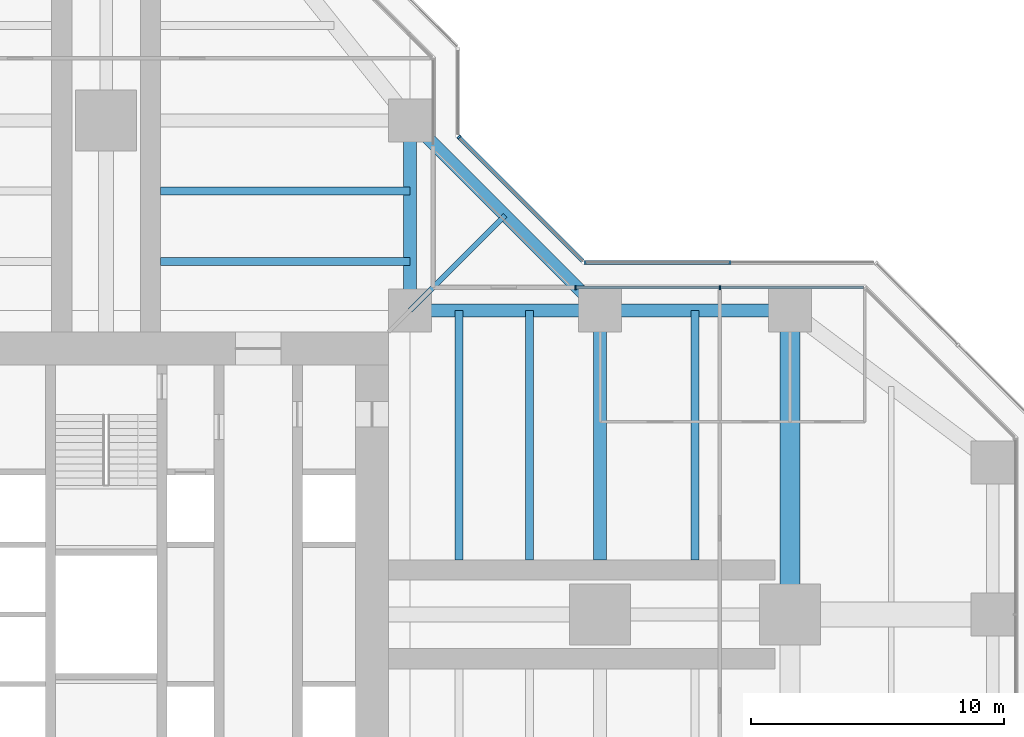
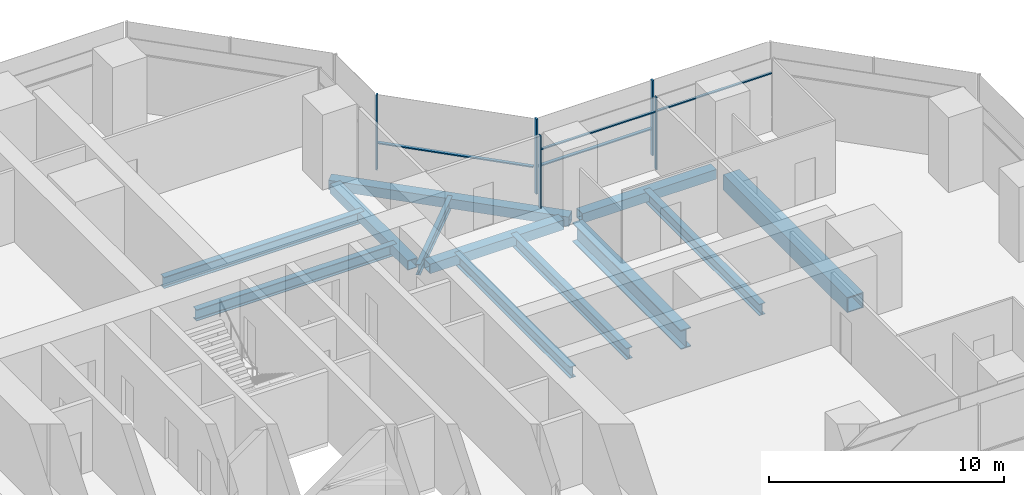
# One storey, part 9 of 19: 12 beams, 9 members, 3 elements without a shape of their own.
"""IFC4 building model written with IfcOpenShell, lengths in metres."""

from ifc_helpers import new_model, si_unit, direction, frame, origin, origin_2d, place, context, subcontext, project, spatial, rectangle, hollow_rectangle, i_section, extrude, material, material_profile, profile_set, type_object, element, aggregate, save


model = new_model("IFC4")

# Units and contexts
model_context = context("Model", 3, precision=1e-05, world=origin(), true_north=direction((0.0, 1.0)))
body_context = subcontext(model_context, "Body", "Model", "MODEL_VIEW")
ifc_project = project(units=[si_unit("LENGTHUNIT", "METRE"), si_unit("AREAUNIT", "SQUARE_METRE"), si_unit("VOLUMEUNIT", "CUBIC_METRE"), si_unit("PLANEANGLEUNIT", "RADIAN"), si_unit("MASSUNIT", "GRAM", prefix="KILO")], contexts=[model_context])

# Site, building, storey
site_placement = place(None, origin())
site = spatial("IfcSite", under=ifc_project, at=site_placement, CompositionType="ELEMENT")
building_placement = place(site_placement, origin())
building = spatial("IfcBuilding", under=site, at=building_placement, Name="Mizan Broadcast Tower", CompositionType="ELEMENT")
storey_placement = place(building_placement, frame((0.0, 0.0, 128.10009765625)))
storey = spatial("IfcBuildingStorey", under=building, at=storey_placement, Name="L28", CompositionType="ELEMENT", Elevation=128.10009765625)

# Beams
ifc_material_1 = material(Name="Steel S355", Category="steel")
ifc_material_profile_1 = material_profile(ifc_material_1, hollow_rectangle(XDim=0.5, YDim=0.5, WallThickness=0.030029296875, at=origin_2d()), Name="BOX 500x500x30")
ifc_profile_set_1 = profile_set([ifc_material_profile_1], Name="Steel S355")
beam_type_1 = type_object("IfcBeamType", Name="EDGE BEAM BOX 500x500x30", PredefinedType="SPANDREL", material=ifc_profile_set_1)
for number, where, z_axis, x_axis, name in (
    (1, (12.449951171875, 12.0, -0.380126953125), (1.0, 0.0, 0.0), (0.0, 1.0, 0.0), "Edge beam BOX 500x500x30 L28 east arm"),
    (2, (19.949951171875, 12.0, -0.380126953125), (1.0, 0.0, 0.0), (0.0, 1.0, 0.0), "Edge beam BOX 500x500x30 L28 east arm"),
    (3, (12.0, 12.449951171875, -0.380126953125), (0.0, 1.0, 0.0), (-1.0, 0.0, 0.0), "Edge beam BOX 500x500x30 L28 north arm"),
):
    element("IfcBeam", number, at=place(storey_placement, frame(where, z_axis=z_axis, x_axis=x_axis)), inside=storey, type_object=beam_type_1, Name=name, PredefinedType="SPANDREL", context=body_context, shape_type="SweptSolid", body=[
        extrude(hollow_rectangle(XDim=0.5, YDim=0.5, WallThickness=0.030029296875, at=origin_2d()), origin(), (0.0, 0.0, 1.0), 6.60009765625),
    ])
beam_1_placement = place(storey_placement, frame((19.5, 12.0, -0.380126953125), z_axis=(-0.707106781187, 0.707106781187, 0.0), x_axis=(-0.707106781187, -0.707106781187, 0.0)))
element("IfcBeam", 4, at=beam_1_placement, inside=storey, type_object=beam_type_1, Name="Winter garden edge beam L28 E", PredefinedType="SPANDREL", context=body_context, shape_type="SweptSolid", body=[
    extrude(hollow_rectangle(XDim=0.5, YDim=0.5, WallThickness=0.030029296875, at=origin_2d()), origin(), (0.0, 0.0, 1.0), 10.606689453125),
])
ifc_material_2 = material(Name="Steel S460", Category="steel")
ifc_material_profile_2 = material_profile(ifc_material_2, hollow_rectangle(XDim=0.800048828125, YDim=0.800048828125, WallThickness=0.050048828125, at=origin_2d()), Name="BOX 800x800x50")
ifc_profile_set_2 = profile_set([ifc_material_profile_2], Name="Steel S460")
beam_type_2 = type_object("IfcBeamType", Name="GIRDER BOX 800x800x50", PredefinedType="BEAM", material=ifc_profile_set_2)
beam_2_placement = place(storey_placement, frame((27.0, 11.280029296875, -0.530029296875), z_axis=(0.0, -1.0, 0.0), x_axis=(1.0, 0.0, 0.0)))
element("IfcBeam", 5, at=beam_2_placement, inside=storey, type_object=beam_type_2, Name="Girder BOX 800x800x50 L28 east arm", PredefinedType="BEAM", context=body_context, shape_type="SweptSolid", body=[
    extrude(hollow_rectangle(XDim=0.800048828125, YDim=0.800048828125, WallThickness=0.050048828125, at=origin_2d()), origin(), (0.0, 0.0, 1.0), 10.56005859375),
])
ifc_material_3 = material(Name="Steel S460", Category="steel")
ifc_material_profile_3 = material_profile(ifc_material_3, i_section(OverallWidth=0.5, OverallDepth=1.0, WebThickness=0.02490234375, FlangeThickness=0.050048828125, at=origin_2d()), Name="WPG 1000x500")
ifc_profile_set_3 = profile_set([ifc_material_profile_3], Name="Steel S460")
beam_type_3 = type_object("IfcBeamType", Name="GIRDER WPG 1000x500", PredefinedType="BEAM", material=ifc_profile_set_3)
beam_3_placement = place(storey_placement, frame((19.5, 11.408935546875, -0.630126953125), z_axis=(0.0, -1.0, 0.0), x_axis=(1.0, 0.0, 0.0)))
element("IfcBeam", 6, at=beam_3_placement, inside=storey, type_object=beam_type_3, Name="Girder WPG 1000x500 L28 east arm", PredefinedType="BEAM", context=body_context, shape_type="SweptSolid", body=[
    extrude(i_section(OverallWidth=0.5, OverallDepth=1.0, WebThickness=0.02490234375, FlangeThickness=0.050048828125, at=origin_2d()), origin(), (0.0, 0.0, 1.0), 9.259033203125),
])

# Curtain wall, members
ifc_material_4 = material(Name="Aluminium framed glazing", Category="aluminium")
curtain_wall_type_1 = type_object("IfcCurtainWallType", Name="INNER SKIN MID ZONE", PredefinedType="USERDEFINED", material=ifc_material_4)
curtain_wall_1_placement = place(storey_placement, origin())
curtain_wall_1 = element("IfcCurtainWall", 7, at=curtain_wall_1_placement, inside=storey, type_object=curtain_wall_type_1, Name="Inner skin mid zone L28 E side", ObjectType="INNER SKIN MID ZONE", PredefinedType="USERDEFINED")
ifc_material_5 = material(Name="Aluminium, pale anodised", Category="aluminium")
ifc_material_profile_4 = material_profile(ifc_material_5, rectangle(XDim=0.159912109375, YDim=0.06005859375, at=origin_2d()), Name="MULLION 160x60")
ifc_profile_set_4 = profile_set([ifc_material_profile_4], Name="Aluminium, pale anodised")
member_type_1 = type_object("IfcMemberType", Name="INNER SKIN MULLION 60x160", PredefinedType="MULLION", material=ifc_profile_set_4)
member_1_placement = place(storey_placement, frame((24.229248046875, 12.89990234375, 0.0), z_axis=(0.0, 0.0, 1.0), x_axis=(0.0, -1.0, 0.0)))
member_1 = element("IfcMember", 8, at=member_1_placement, type_object=member_type_1, Name="Inner skin mid zone L28 E side mullion 2", PredefinedType="MULLION", context=body_context, shape_type="SweptSolid", body=[
    extrude(rectangle(XDim=0.159912109375, YDim=0.06005859375, at=origin_2d()), origin(), (0.0, 0.0, 1.0), 3.77001953125),
])
member_2_placement = place(storey_placement, frame((18.530029296875, 12.89990234375, 0.0), z_axis=(0.0, 0.0, 1.0), x_axis=(0.0, -1.0, 0.0)))
member_2 = element("IfcMember", 9, at=member_2_placement, type_object=member_type_1, Name="Inner skin mid zone L28 E side mullion 3", PredefinedType="MULLION", context=body_context, shape_type="SweptSolid", body=[
    extrude(rectangle(XDim=0.159912109375, YDim=0.06005859375, at=origin_2d()), origin(), (0.0, 0.0, 1.0), 3.77001953125),
])
ifc_material_6 = material(Name="Aluminium, pale anodised", Category="aluminium")
ifc_material_profile_5 = material_profile(ifc_material_6, rectangle(XDim=0.1201171875, YDim=0.06005859375, at=origin_2d()), Name="TRANSOM 120x60")
ifc_profile_set_5 = profile_set([ifc_material_profile_5], Name="Aluminium, pale anodised")
member_type_2 = type_object("IfcMemberType", Name="INNER SKIN TRANSOM 60x120", PredefinedType="USERDEFINED", material=ifc_profile_set_5)
member_3_placement = place(storey_placement, frame((29.898681640625, 12.89990234375, 3.02978515625), z_axis=(-1.0, 0.0, 0.0), x_axis=(0.0, -1.0, 0.0)))
member_3 = element("IfcMember", 10, at=member_3_placement, type_object=member_type_2, Name="Inner skin mid zone L28 E side transom 1.1", ObjectType="TRANSOM", PredefinedType="USERDEFINED", context=body_context, shape_type="SweptSolid", body=[
    extrude(rectangle(XDim=0.1201171875, YDim=0.06005859375, at=origin_2d()), origin(), (0.0, 0.0, 1.0), 5.639404296875),
])
member_4_placement = place(storey_placement, frame((24.19921875, 12.89990234375, 3.02978515625), z_axis=(-1.0, 0.0, 0.0), x_axis=(0.0, -1.0, 0.0)))
member_4 = element("IfcMember", 11, at=member_4_placement, type_object=member_type_2, Name="Inner skin mid zone L28 E side transom 2.1", ObjectType="TRANSOM", PredefinedType="USERDEFINED", context=body_context, shape_type="SweptSolid", body=[
    extrude(rectangle(XDim=0.1201171875, YDim=0.06005859375, at=origin_2d()), origin(), (0.0, 0.0, 1.0), 5.63916015625),
])
aggregate(curtain_wall_1, [member_1, member_2, member_3, member_4])

ifc_material_7 = material(Name="Aluminium framed glazing", Category="aluminium")
curtain_wall_type_2 = type_object("IfcCurtainWallType", Name="OUTER SKIN", PredefinedType="USERDEFINED", material=ifc_material_7)
curtain_wall_2_placement = place(storey_placement, origin())
curtain_wall_2 = element("IfcCurtainWall", 12, at=curtain_wall_2_placement, inside=storey, type_object=curtain_wall_type_2, Name="Outer skin L28 E side", ObjectType="OUTER SKIN", PredefinedType="USERDEFINED")
ifc_material_8 = material(Name="Aluminium, pale anodised", Category="aluminium")
ifc_material_profile_6 = material_profile(ifc_material_8, rectangle(XDim=0.159912109375, YDim=0.080078125, at=origin_2d()), Name="MULLION 160x80")
ifc_profile_set_6 = profile_set([ifc_material_profile_6], Name="Aluminium, pale anodised")
member_type_3 = type_object("IfcMemberType", Name="OUTER SKIN MULLION 80x160", PredefinedType="MULLION", material=ifc_profile_set_6)
member_5_placement = place(storey_placement, frame((24.622802734375, 13.89990234375, 0.0), z_axis=(0.0, 0.0, 1.0), x_axis=(0.0, -1.0, 0.0)))
member_5 = element("IfcMember", 13, at=member_5_placement, type_object=member_type_3, Name="Outer skin L28 E side mullion 2", PredefinedType="MULLION", context=body_context, shape_type="SweptSolid", body=[
    extrude(rectangle(XDim=0.159912109375, YDim=0.080078125, at=origin_2d()), origin(), (0.0, 0.0, 1.0), 3.89990234375),
])
member_6_placement = place(storey_placement, frame((18.912841796875, 13.89990234375, 0.0), z_axis=(0.0, 0.0, 1.0), x_axis=(0.0, -1.0, 0.0)))
member_6 = element("IfcMember", 14, at=member_6_placement, type_object=member_type_3, Name="Outer skin L28 E side mullion 3", PredefinedType="MULLION", context=body_context, shape_type="SweptSolid", body=[
    extrude(rectangle(XDim=0.159912109375, YDim=0.080078125, at=origin_2d()), origin(), (0.0, 0.0, 1.0), 3.89990234375),
])

# Curtain wall, member
curtain_wall_3_placement = place(storey_placement, origin())
curtain_wall_3 = element("IfcCurtainWall", 15, at=curtain_wall_3_placement, inside=storey, type_object=curtain_wall_type_2, Name="Outer skin L28 E chamfer", ObjectType="OUTER SKIN", PredefinedType="USERDEFINED")
member_7_placement = place(storey_placement, frame((13.92822265625, 18.844482421875, 0.0), z_axis=(0.0, 0.0, 1.0), x_axis=(-0.707106781187, -0.707106781187, 0.0)))
member_7 = element("IfcMember", 16, at=member_7_placement, type_object=member_type_3, Name="Outer skin L28 E chamfer mullion 2", PredefinedType="MULLION", context=body_context, shape_type="SweptSolid", body=[
    extrude(rectangle(XDim=0.159912109375, YDim=0.080078125, at=origin_2d()), origin(), (0.0, 0.0, 1.0), 3.89990234375),
])

# Member
ifc_material_9 = material(Name="Aluminium, pale anodised", Category="aluminium")
ifc_material_profile_7 = material_profile(ifc_material_9, rectangle(XDim=0.159912109375, YDim=0.06005859375, at=origin_2d()), Name="TRANSOM 160x60")
ifc_profile_set_7 = profile_set([ifc_material_profile_7], Name="Aluminium, pale anodised")
member_type_4 = type_object("IfcMemberType", Name="OUTER SKIN TRANSOM 60x160", PredefinedType="USERDEFINED", material=ifc_profile_set_7)
member_8_placement = place(storey_placement, frame((24.582763671875, 13.89990234375, 1.39990234375), z_axis=(-1.0, 0.0, 0.0), x_axis=(0.0, -1.0, 0.0)))
member_8 = element("IfcMember", 17, at=member_8_placement, type_object=member_type_4, Name="Outer skin L28 E side transom 2.1", ObjectType="TRANSOM", PredefinedType="USERDEFINED", context=body_context, shape_type="SweptSolid", body=[
    extrude(rectangle(XDim=0.159912109375, YDim=0.06005859375, at=origin_2d()), origin(), (0.0, 0.0, 1.0), 5.6298828125),
])

aggregate(curtain_wall_2, [member_5, member_6, member_8])

member_9_placement = place(storey_placement, frame((18.816162109375, 13.95654296875, 1.39990234375), z_axis=(-0.707106781187, 0.707106781187, 0.0), x_axis=(-0.707106781187, -0.707106781187, 0.0)))
member_9 = element("IfcMember", 18, at=member_9_placement, type_object=member_type_4, Name="Outer skin L28 E chamfer transom 1.1", ObjectType="TRANSOM", PredefinedType="USERDEFINED", context=body_context, shape_type="SweptSolid", body=[
    extrude(rectangle(XDim=0.159912109375, YDim=0.06005859375, at=origin_2d()), origin(), (0.0, 0.0, 1.0), 6.87255859375),
])

aggregate(curtain_wall_3, [member_7, member_9])

# Beams
ifc_material_10 = material(Name="Steel S355", Category="steel")
ifc_material_profile_8 = material_profile(ifc_material_10, i_section(OverallWidth=0.300048828125, OverallDepth=0.590087890625, WebThickness=0.012939453125, FlangeThickness=0.02490234375, FilletRadius=0.027099609375, at=origin_2d()), Name="HEA 600")
ifc_profile_set_8 = profile_set([ifc_material_profile_8], Name="Steel S355")
beam_type_4 = type_object("IfcBeamType", Name="SECONDARY BEAM HEA 600", PredefinedType="JOIST", material=ifc_profile_set_8)
for number, where, z_axis, x_axis, name in (
    (19, (13.933349609375, 12.0, -0.425048828125), (0.0, -1.0, 0.0), (1.0, 0.0, 0.0), "Secondary beam HEA 600 L28 east arm"),
    (20, (16.716552734375, 12.0, -0.425048828125), (0.0, -1.0, 0.0), (1.0, 0.0, 0.0), "Secondary beam HEA 600 L28 east arm"),
    (21, (23.25, 12.0, -0.425048828125), (0.0, -1.0, 0.0), (1.0, 0.0, 0.0), "Secondary beam HEA 600 L28 east arm"),
    (22, (12.0, 13.933349609375, -0.425048828125), (-1.0, 0.0, 0.0), (0.0, -1.0, 0.0), "Secondary beam HEA 600 L28 north arm"),
    (23, (12.0, 16.716552734375, -0.425048828125), (-1.0, 0.0, 0.0), (0.0, -1.0, 0.0), "Secondary beam HEA 600 L28 north arm"),
):
    element("IfcBeam", number, at=place(storey_placement, frame(where, z_axis=z_axis, x_axis=x_axis)), inside=storey, type_object=beam_type_4, Name=name, PredefinedType="JOIST", context=body_context, shape_type="SweptSolid", body=[
        extrude(i_section(OverallWidth=0.300048828125, OverallDepth=0.590087890625, WebThickness=0.012939453125, FlangeThickness=0.02490234375, FilletRadius=0.027099609375, at=origin_2d()), origin(), (0.0, 0.0, 1.0), 9.85009765625),
    ])
ifc_material_11 = material(Name="Steel S355", Category="steel")
ifc_material_profile_9 = material_profile(ifc_material_11, i_section(OverallWidth=0.2099609375, OverallDepth=0.550048828125, WebThickness=0.010986328125, FlangeThickness=0.01708984375, FilletRadius=0.02392578125, at=origin_2d()), Name="IPE 550")
ifc_profile_set_9 = profile_set([ifc_material_profile_9], Name="Steel S355")
beam_type_5 = type_object("IfcBeamType", Name="SECONDARY BEAM IPE 550", PredefinedType="JOIST", material=ifc_profile_set_9)
beam_4_placement = place(storey_placement, frame((12.0, 12.0, -0.405029296875), z_axis=(0.707106781187, 0.707106781187, 0.0), x_axis=(-0.707106781187, 0.707106781187, 0.0)))
element("IfcBeam", 24, at=beam_4_placement, inside=storey, type_object=beam_type_5, Name="Winter garden beam L28 E", PredefinedType="JOIST", context=body_context, shape_type="SweptSolid", body=[
    extrude(i_section(OverallWidth=0.2099609375, OverallDepth=0.550048828125, WebThickness=0.010986328125, FlangeThickness=0.01708984375, FilletRadius=0.02392578125, at=origin_2d()), origin(), (0.0, 0.0, 1.0), 5.30322265625),
])

save(model, "model.ifc")
